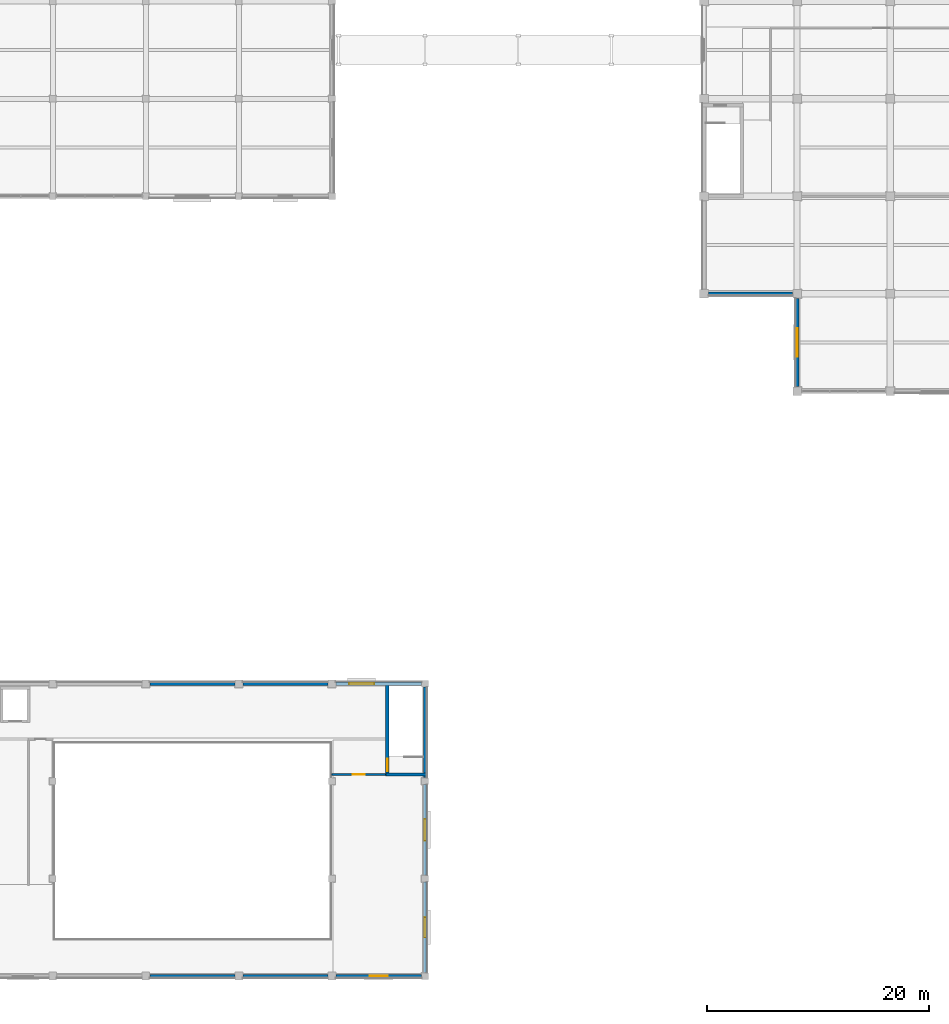
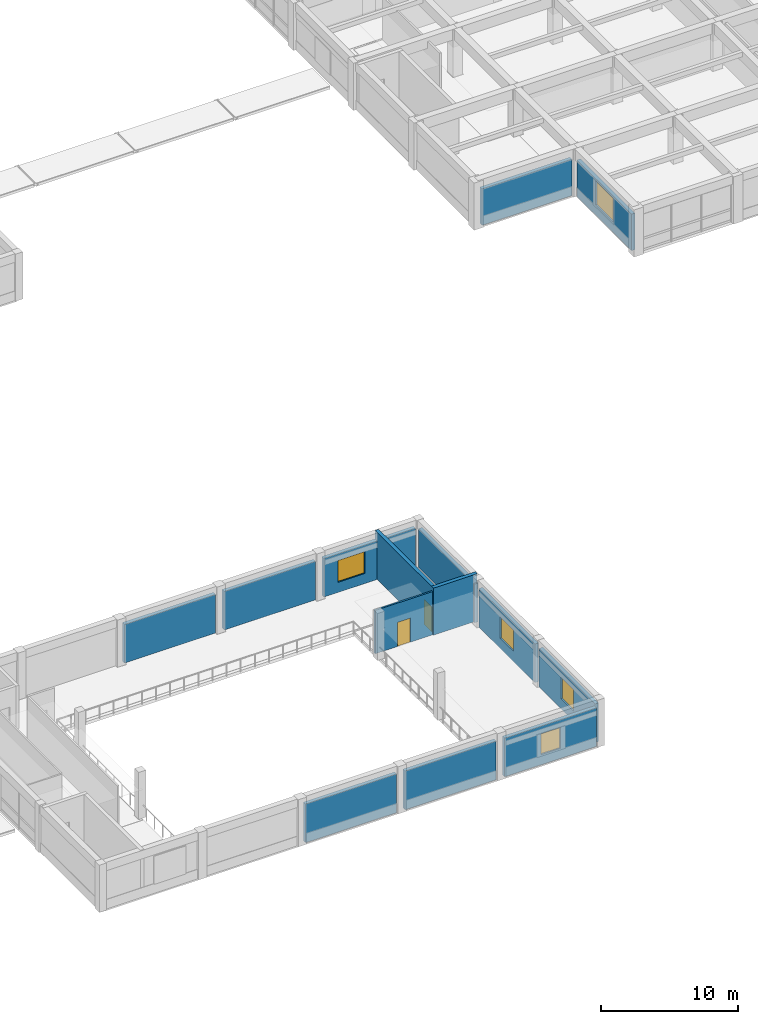
# One storey, part 31 of 46: 14 walls, 5 windows, 2 doors, 7 openings.
"""IFC4 building model written with IfcOpenShell, lengths in metres."""

from ifc_helpers import new_model, si_unit, direction, frame, frame_2d, origin, place, context, subcontext, project, spatial, rectangle, extrude, material, layer, layer_set, type_object, element, fill, save


model = new_model("IFC4")

# Units and contexts
model_context = context("Model", 3, precision=1e-05, world=origin(), true_north=direction((0.0, 1.0)))
body_context = subcontext(model_context, "Body", "Model", "MODEL_VIEW")
ifc_project = project(units=[si_unit("LENGTHUNIT", "METRE"), si_unit("AREAUNIT", "SQUARE_METRE"), si_unit("VOLUMEUNIT", "CUBIC_METRE"), si_unit("PLANEANGLEUNIT", "RADIAN"), si_unit("MASSUNIT", "GRAM", prefix="KILO")], contexts=[model_context])

# Site, building, storey
site_placement = place(None, origin())
site = spatial("IfcSite", under=ifc_project, at=site_placement, CompositionType="ELEMENT")
building_placement = place(site_placement, origin())
building = spatial("IfcBuilding", under=site, at=building_placement, Name="Kemercrest Conservatory and Botanical Centre", CompositionType="ELEMENT")
storey_placement = place(building_placement, frame((0.0, 0.0, 9.0)))
storey = spatial("IfcBuildingStorey", under=building, at=storey_placement, Name="L02", CompositionType="ELEMENT", Elevation=9.0)

# Wall
ifc_material_1 = material(Name="Precast concrete C40/50", Category="concrete")
ifc_layer_1 = layer(ifc_material_1, 0.300048828125)
ifc_layer_set_1 = layer_set([ifc_layer_1], Name="Precast concrete C40/50")
wall_type_1 = type_object("IfcWallType", Name="CW-EXT300", PredefinedType="SHEAR", material=ifc_layer_set_1)
wall_1_placement = place(storey_placement, frame((100.39990234375, 34.7099609375, 0.0), z_axis=(0.0, 0.0, 1.0), x_axis=(0.0, 1.0, 0.0)))
element("IfcWall", 1, at=wall_1_placement, inside=storey, type_object=wall_type_1, Name="Exterior stair-core shear wall CW-EXT300 (WAL:L02:EXT-060)", PredefinedType="SHEAR", context=body_context, shape_type="SweptSolid", body=[
    extrude(rectangle(XDim=8.179931640625, YDim=0.300048828125, at=frame_2d((4.08984375, 0.0))), origin(), (0.0, 0.0, 1.0), 3.449951171875),
])

# Wall, opening, window
wall_2_placement = place(storey_placement, frame((100.090087890625, 43.199951171875, 0.0), z_axis=(0.0, 0.0, 1.0), x_axis=(-1.0, 0.0, 0.0)))
wall_2 = element("IfcWall", 2, at=wall_2_placement, inside=storey, type_object=wall_type_1, Name="Exterior stair-core shear wall CW-EXT300 (WAL:L02:EXT-061)", PredefinedType="SHEAR", context=body_context, shape_type="SweptSolid", body=[
    extrude(rectangle(XDim=7.72998046875, YDim=0.300048828125, at=frame_2d((3.864990234375, 0.0))), origin(), (0.0, 0.0, 1.0), 3.449951171875),
])
opening_1_placement = place(wall_2_placement, frame((4.284912109375, 0.0, 0.89990234375)))
opening_1 = element("IfcOpeningElement", 3, at=opening_1_placement, cuts=wall_2, Name="Opening WT-08", PredefinedType="OPENING", context=body_context, shape_type="SweptSolid", body=[
    extrude(rectangle(XDim=2.25, YDim=1.949951171875, at=frame_2d((1.125, 0.97509765625))), frame((0.0, 0.16015625, 0.0), z_axis=(0.0, -1.0, 0.0), x_axis=(1.0, 0.0, 0.0)), (0.0, 0.0, 1.0), 0.320068359375),
])
ifc_material_2 = material(Name="Thermally broken bronze-anodized aluminium and triple glazing", Category="aluminium")
window_type_1 = type_object("IfcWindowType", Name="WT-08", PartitioningType="SINGLE_PANEL", PredefinedType="WINDOW", material=ifc_material_2)
window_1_placement = place(opening_1_placement, origin())
window_1 = element("IfcWindow", 4, at=window_1_placement, inside=storey, type_object=window_type_1, Name="Exterior window WT-08 (WIN:L02:EXT-061)", OverallHeight=1.949951171875, OverallWidth=2.25, PartitioningType="SINGLE_PANEL", PredefinedType="WINDOW", context=body_context, shape_type="SweptSolid", body=[
    extrude(rectangle(XDim=2.25, YDim=1.949951171875, at=frame_2d((1.125, 0.97509765625))), frame((0.0, 0.030029296875, 0.0), z_axis=(0.0, -1.0, 0.0), x_axis=(1.0, 0.0, 0.0)), (0.0, 0.0, 1.0), 0.06005859375),
])
fill(opening_1, window_1)

# Walls
wall_3_placement = place(storey_placement, frame((126.010009765625, 78.39990234375, 0.0), z_axis=(0.0, 0.0, 1.0), x_axis=(1.0, 0.0, 0.0)))
element("IfcWall", 5, at=wall_3_placement, inside=storey, type_object=wall_type_1, Name="Exterior stair-core shear wall CW-EXT300 (WAL:L02:EXT-208)", PredefinedType="SHEAR", context=body_context, shape_type="SweptSolid", body=[
    extrude(rectangle(XDim=7.580078125, YDim=0.300048828125, at=frame_2d((3.7900390625, 0.0))), origin(), (0.0, 0.0, 1.0), 3.25),
])
ifc_material_3 = material(Name="Concrete C50/60", Category="concrete")
ifc_layer_2 = layer(ifc_material_3, 0.300048828125)
ifc_layer_set_2 = layer_set([ifc_layer_2], Name="Concrete C50/60")
wall_type_2 = type_object("IfcWallType", Name="CW-STAIR", PredefinedType="SHEAR", material=ifc_layer_set_2)
wall_4_placement = place(storey_placement, frame((96.85009765625, 35.0, 0.0), z_axis=(0.0, 0.0, 1.0), x_axis=(1.0, 0.0, 0.0)))
element("IfcWall", 6, at=wall_4_placement, inside=storey, type_object=wall_type_2, Name="Stair core ST-V2B shear wall S", PredefinedType="SHEAR", context=body_context, shape_type="SweptSolid", body=[
    extrude(rectangle(XDim=3.699951171875, YDim=0.300048828125, at=frame_2d((1.85009765625, 0.0))), origin(), (0.0, 0.0, 1.0), 4.199951171875),
])

# Wall, opening, door
wall_5_placement = place(storey_placement, frame((97.0, 34.85009765625, 0.0), z_axis=(0.0, 0.0, 1.0), x_axis=(0.0, 1.0, 0.0)))
wall_5 = element("IfcWall", 7, at=wall_5_placement, inside=storey, type_object=wall_type_2, Name="Stair core ST-V2B shear wall W", PredefinedType="SHEAR", context=body_context, shape_type="SweptSolid", body=[
    extrude(rectangle(XDim=8.5, YDim=0.300048828125, at=frame_2d((4.25, 0.0))), origin(), (0.0, 0.0, 1.0), 4.199951171875),
])
opening_2_placement = place(wall_5_placement, frame((0.449951171875, 0.0, 0.0)))
opening_2 = element("IfcOpeningElement", 8, at=opening_2_placement, cuts=wall_5, Name="Opening D014", PredefinedType="OPENING", context=body_context, shape_type="SweptSolid", body=[
    extrude(rectangle(XDim=1.10009765625, YDim=2.199951171875, at=frame_2d((0.550048828125, 1.10009765625))), frame((0.0, 0.16015625, 0.0), z_axis=(0.0, -1.0, 0.0), x_axis=(1.0, 0.0, 0.0)), (0.0, 0.0, 1.0), 0.320068359375),
])
ifc_material_4 = material(Name="Powder-coated galvanized steel and fire-rated vision glass", Category="steel")
door_type_1 = type_object("IfcDoorType", Name="DT-FD90", OperationType="NOTDEFINED", PredefinedType="DOOR", material=ifc_material_4)
door_1_placement = place(opening_2_placement, origin())
door_1 = element("IfcDoor", 9, at=door_1_placement, inside=storey, type_object=door_type_1, Name="Exit stair ST-V2B fire door D014", OperationType="SINGLE_SWING_RIGHT", OverallHeight=2.199951171875, OverallWidth=1.10009765625, PredefinedType="DOOR", context=body_context, shape_type="SweptSolid", body=[
    extrude(rectangle(XDim=1.10009765625, YDim=2.199951171875, at=frame_2d((0.550048828125, 1.10009765625))), frame((0.0, 0.02490234375, 0.0), z_axis=(0.0, -1.0, 0.0), x_axis=(1.0, 0.0, 0.0)), (0.0, 0.0, 1.0), 0.050048828125),
])
fill(opening_2, door_1)

# Walls
ifc_layer_3 = layer(ifc_material_1, 0.300048828125)
ifc_layer_set_3 = layer_set([ifc_layer_3], Name="Precast concrete C40/50")
wall_type_3 = type_object("IfcWallType", Name="W-EXT300", PredefinedType="SOLIDWALL", material=ifc_layer_set_3)
for number, where, z_axis, x_axis, name in (
    (10, (75.56005859375, 16.800048828125, 0.0), (0.0, 0.0, 1.0), (1.0, 0.0, 0.0), "Exterior almasik wall W-EXT300 (WAL:L02:EXT-055)"),
    (11, (83.9599609375, 16.800048828125, 0.0), (0.0, 0.0, 1.0), (1.0, 0.0, 0.0), "Exterior almasik wall W-EXT300 (WAL:L02:EXT-056)"),
):
    element("IfcWall", number, at=place(storey_placement, frame(where, z_axis=z_axis, x_axis=x_axis)), inside=storey, type_object=wall_type_3, Name=name, PredefinedType="SOLIDWALL", context=body_context, shape_type="SweptSolid", body=[
        extrude(rectangle(XDim=7.679931640625, YDim=0.300048828125, at=frame_2d((3.83984375, 0.0))), origin(), (0.0, 0.0, 1.0), 3.449951171875),
    ])

# Wall, opening, window
wall_6_placement = place(storey_placement, frame((92.360107421875, 16.800048828125, 0.0), z_axis=(0.0, 0.0, 1.0), x_axis=(1.0, 0.0, 0.0)))
wall_6 = element("IfcWall", 12, at=wall_6_placement, inside=storey, type_object=wall_type_3, Name="Exterior almasik wall W-EXT300 (WAL:L02:EXT-057)", PredefinedType="SOLIDWALL", context=body_context, shape_type="SweptSolid", body=[
    extrude(rectangle(XDim=7.72998046875, YDim=0.300048828125, at=frame_2d((3.864990234375, 0.0))), origin(), (0.0, 0.0, 1.0), 3.449951171875),
])
opening_3_placement = place(wall_6_placement, frame((3.0400390625, 0.0, 0.89990234375)))
opening_3 = element("IfcOpeningElement", 13, at=opening_3_placement, cuts=wall_6, Name="Opening WT-04", PredefinedType="OPENING", context=body_context, shape_type="SweptSolid", body=[
    extrude(rectangle(XDim=1.64990234375, YDim=1.85009765625, at=frame_2d((0.824951171875, 0.925048828125))), frame((0.0, 0.16015625, 0.0), z_axis=(0.0, -1.0, 0.0), x_axis=(1.0, 0.0, 0.0)), (0.0, 0.0, 1.0), 0.320068359375),
])
window_type_2 = type_object("IfcWindowType", Name="WT-04", PartitioningType="SINGLE_PANEL", PredefinedType="WINDOW", material=ifc_material_2)
window_2_placement = place(opening_3_placement, origin())
window_2 = element("IfcWindow", 14, at=window_2_placement, inside=storey, type_object=window_type_2, Name="Exterior window WT-04 (WIN:L02:EXT-057)", OverallHeight=1.85009765625, OverallWidth=1.64990234375, PartitioningType="SINGLE_PANEL", PredefinedType="WINDOW", context=body_context, shape_type="SweptSolid", body=[
    extrude(rectangle(XDim=1.64990234375, YDim=1.85009765625, at=frame_2d((0.824951171875, 0.925048828125))), frame((0.0, 0.030029296875, 0.0), z_axis=(0.0, -1.0, 0.0), x_axis=(1.0, 0.0, 0.0)), (0.0, 0.0, 1.0), 0.06005859375),
])
fill(opening_3, window_2)

wall_7_placement = place(storey_placement, frame((100.39990234375, 17.110107421875, 0.0), z_axis=(0.0, 0.0, 1.0), x_axis=(0.0, 1.0, 0.0)))
wall_7 = element("IfcWall", 15, at=wall_7_placement, inside=storey, type_object=wall_type_3, Name="Exterior almasik wall W-EXT300 (WAL:L02:EXT-058)", PredefinedType="SOLIDWALL", context=body_context, shape_type="SweptSolid", body=[
    extrude(rectangle(XDim=8.179931640625, YDim=0.300048828125, at=frame_2d((4.08984375, 0.0))), origin(), (0.0, 0.0, 1.0), 3.449951171875),
])
opening_4_placement = place(wall_7_placement, frame((3.18994140625, 0.0, 0.89990234375)))
opening_4 = element("IfcOpeningElement", 16, at=opening_4_placement, cuts=wall_7, Name="Opening WT-05", PredefinedType="OPENING", context=body_context, shape_type="SweptSolid", body=[
    extrude(rectangle(XDim=1.800048828125, YDim=1.89990234375, at=frame_2d((0.89990234375, 0.949951171875))), frame((0.0, 0.16015625, 0.0), z_axis=(0.0, -1.0, 0.0), x_axis=(1.0, 0.0, 0.0)), (0.0, 0.0, 1.0), 0.320068359375),
])
window_type_3 = type_object("IfcWindowType", Name="WT-05", PartitioningType="SINGLE_PANEL", PredefinedType="WINDOW", material=ifc_material_2)
window_3_placement = place(opening_4_placement, origin())
window_3 = element("IfcWindow", 17, at=window_3_placement, inside=storey, type_object=window_type_3, Name="Exterior window WT-05 (WIN:L02:EXT-058)", OverallHeight=1.89990234375, OverallWidth=1.800048828125, PartitioningType="SINGLE_PANEL", PredefinedType="WINDOW", context=body_context, shape_type="SweptSolid", body=[
    extrude(rectangle(XDim=1.800048828125, YDim=1.89990234375, at=frame_2d((0.89990234375, 0.949951171875))), frame((0.0, 0.030029296875, 0.0), z_axis=(0.0, -1.0, 0.0), x_axis=(1.0, 0.0, 0.0)), (0.0, 0.0, 1.0), 0.06005859375),
])
fill(opening_4, window_3)

wall_8_placement = place(storey_placement, frame((100.39990234375, 25.909912109375, 0.0), z_axis=(0.0, 0.0, 1.0), x_axis=(0.0, 1.0, 0.0)))
wall_8 = element("IfcWall", 18, at=wall_8_placement, inside=storey, type_object=wall_type_3, Name="Exterior almasik wall W-EXT300 (WAL:L02:EXT-059)", PredefinedType="SOLIDWALL", context=body_context, shape_type="SweptSolid", body=[
    extrude(rectangle(XDim=8.18017578125, YDim=0.300048828125, at=frame_2d((4.090087890625, 0.0))), origin(), (0.0, 0.0, 1.0), 3.449951171875),
])
opening_5_placement = place(wall_8_placement, frame((3.114990234375, 0.0, 0.89990234375)))
opening_5 = element("IfcOpeningElement", 19, at=opening_5_placement, cuts=wall_8, Name="Opening WT-06", PredefinedType="OPENING", context=body_context, shape_type="SweptSolid", body=[
    extrude(rectangle(XDim=1.949951171875, YDim=1.89990234375, at=frame_2d((0.97509765625, 0.949951171875))), frame((0.0, 0.16015625, 0.0), z_axis=(0.0, -1.0, 0.0), x_axis=(1.0, 0.0, 0.0)), (0.0, 0.0, 1.0), 0.320068359375),
])
window_type_4 = type_object("IfcWindowType", Name="WT-06", PartitioningType="SINGLE_PANEL", PredefinedType="WINDOW", material=ifc_material_2)
window_4_placement = place(opening_5_placement, origin())
window_4 = element("IfcWindow", 20, at=window_4_placement, inside=storey, type_object=window_type_4, Name="Exterior window WT-06 (WIN:L02:EXT-059)", OverallHeight=1.89990234375, OverallWidth=1.949951171875, PartitioningType="SINGLE_PANEL", PredefinedType="WINDOW", context=body_context, shape_type="SweptSolid", body=[
    extrude(rectangle(XDim=1.949951171875, YDim=1.89990234375, at=frame_2d((0.97509765625, 0.949951171875))), frame((0.0, 0.030029296875, 0.0), z_axis=(0.0, -1.0, 0.0), x_axis=(1.0, 0.0, 0.0)), (0.0, 0.0, 1.0), 0.06005859375),
])
fill(opening_5, window_4)

# Walls
for number, where, z_axis, x_axis, name in (
    (21, (91.639892578125, 43.199951171875, 0.0), (0.0, 0.0, 1.0), (-1.0, 0.0, 0.0), "Exterior almasik wall W-EXT300 (WAL:L02:EXT-062)"),
    (22, (83.239990234375, 43.199951171875, 0.0), (0.0, 0.0, 1.0), (-1.0, 0.0, 0.0), "Exterior almasik wall W-EXT300 (WAL:L02:EXT-063)"),
):
    element("IfcWall", number, at=place(storey_placement, frame(where, z_axis=z_axis, x_axis=x_axis)), inside=storey, type_object=wall_type_3, Name=name, PredefinedType="SOLIDWALL", context=body_context, shape_type="SweptSolid", body=[
        extrude(rectangle(XDim=7.679931640625, YDim=0.300048828125, at=frame_2d((3.83984375, 0.0))), origin(), (0.0, 0.0, 1.0), 3.449951171875),
    ])

# Wall, opening, window
wall_9_placement = place(storey_placement, frame((134.0, 77.989990234375, 0.0), z_axis=(0.0, 0.0, 1.0), x_axis=(0.0, -1.0, 0.0)))
wall_9 = element("IfcWall", 23, at=wall_9_placement, inside=storey, type_object=wall_type_3, Name="Exterior almasik wall W-EXT300 (WAL:L02:EXT-209)", PredefinedType="SOLIDWALL", context=body_context, shape_type="SweptSolid", body=[
    extrude(rectangle(XDim=7.97998046875, YDim=0.300048828125, at=frame_2d((3.989990234375, 0.0))), origin(), (0.0, 0.0, 1.0), 3.25),
])
opening_6_placement = place(wall_9_placement, frame((2.719970703125, 0.0, 0.89990234375)))
opening_6 = element("IfcOpeningElement", 24, at=opening_6_placement, cuts=wall_9, Name="Opening WT-54", PredefinedType="OPENING", context=body_context, shape_type="SweptSolid", body=[
    extrude(rectangle(XDim=2.5400390625, YDim=2.159912109375, at=frame_2d((1.27001953125, 1.080078125))), frame((0.0, 0.16015625, 0.0), z_axis=(0.0, -1.0, 0.0), x_axis=(1.0, 0.0, 0.0)), (0.0, 0.0, 1.0), 0.320068359375),
])
window_type_5 = type_object("IfcWindowType", Name="WT-54", PartitioningType="SINGLE_PANEL", PredefinedType="WINDOW", material=ifc_material_2)
window_5_placement = place(opening_6_placement, origin())
window_5 = element("IfcWindow", 25, at=window_5_placement, inside=storey, type_object=window_type_5, Name="Exterior window WT-54 (WIN:L02:EXT-209)", OverallHeight=2.159912109375, OverallWidth=2.5400390625, PartitioningType="SINGLE_PANEL", PredefinedType="WINDOW", context=body_context, shape_type="SweptSolid", body=[
    extrude(rectangle(XDim=2.5400390625, YDim=2.159912109375, at=frame_2d((1.27001953125, 1.080078125))), frame((0.0, 0.030029296875, 0.0), z_axis=(0.0, -1.0, 0.0), x_axis=(1.0, 0.0, 0.0)), (0.0, 0.0, 1.0), 0.06005859375),
])
fill(opening_6, window_5)

# Wall, opening, door
ifc_material_5 = material(Name="Steel-stud gypsum board partition", Category="steel")
ifc_layer_4 = layer(ifc_material_5, 0.14990234375)
ifc_layer_set_4 = layer_set([ifc_layer_4], Name="Steel-stud gypsum board partition")
wall_type_4 = type_object("IfcWallType", Name="W-PART150", PredefinedType="PARTITIONING", material=ifc_layer_set_4)
wall_10_placement = place(storey_placement, frame((92.0, 35.0, 0.0), z_axis=(0.0, 0.0, 1.0), x_axis=(1.0, 0.0, 0.0)))
wall_10 = element("IfcWall", 26, at=wall_10_placement, inside=storey, type_object=wall_type_4, Name="Interior partition W-PART150 #106", PredefinedType="PARTITIONING", context=body_context, shape_type="SweptSolid", body=[
    extrude(rectangle(XDim=4.844970703125, YDim=0.14990234375, at=frame_2d((2.42236328125, 0.0))), origin(), (0.0, 0.0, 1.0), 3.864990234375),
])
opening_7_placement = place(wall_10_placement, frame((1.87255859375, 0.0, 0.0)))
opening_7 = element("IfcOpeningElement", 27, at=opening_7_placement, cuts=wall_10, Name="Opening D167", PredefinedType="OPENING", context=body_context, shape_type="SweptSolid", body=[
    extrude(rectangle(XDim=1.10009765625, YDim=2.14990234375, at=frame_2d((0.550048828125, 1.074951171875))), frame((0.0, 0.0849609375, 0.0), z_axis=(0.0, -1.0, 0.0), x_axis=(1.0, 0.0, 0.0)), (0.0, 0.0, 1.0), 0.169921875),
])
ifc_material_6 = material(Name="FSC solid-core white oak veneer and anodized aluminium frame", Category="aluminium")
door_type_2 = type_object("IfcDoorType", Name="DT-04", OperationType="NOTDEFINED", PredefinedType="DOOR", material=ifc_material_6)
door_2_placement = place(opening_7_placement, origin())
door_2 = element("IfcDoor", 28, at=door_2_placement, inside=storey, type_object=door_type_2, Name="Symposium Breakout Room door D167", OperationType="SINGLE_SWING_LEFT", OverallHeight=2.14990234375, OverallWidth=1.10009765625, PredefinedType="DOOR", context=body_context, shape_type="SweptSolid", body=[
    extrude(rectangle(XDim=1.10009765625, YDim=2.14990234375, at=frame_2d((0.550048828125, 1.074951171875))), frame((0.0, 0.02490234375, 0.0), z_axis=(0.0, -1.0, 0.0), x_axis=(1.0, 0.0, 0.0)), (0.0, 0.0, 1.0), 0.050048828125),
])
fill(opening_7, door_2)

save(model, "model.ifc")
